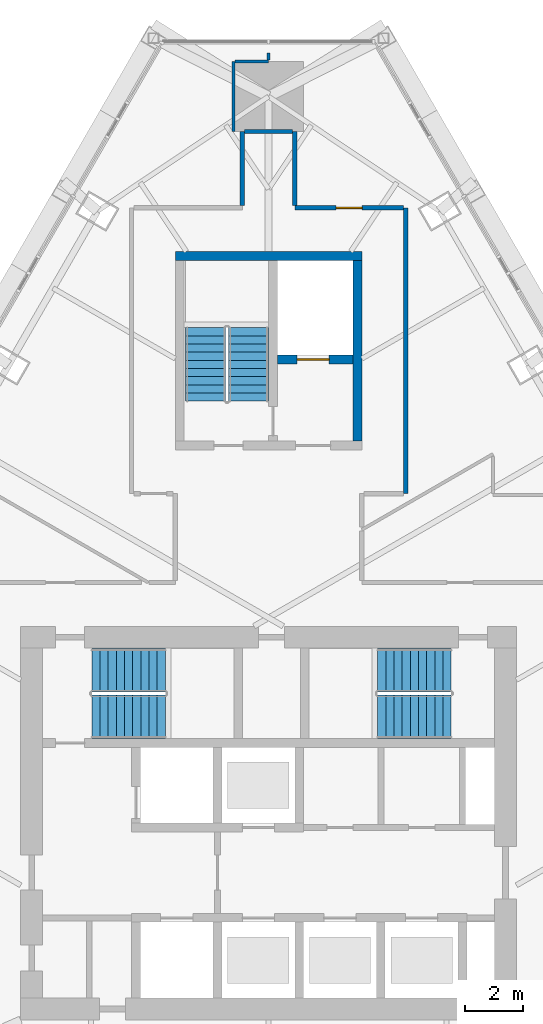
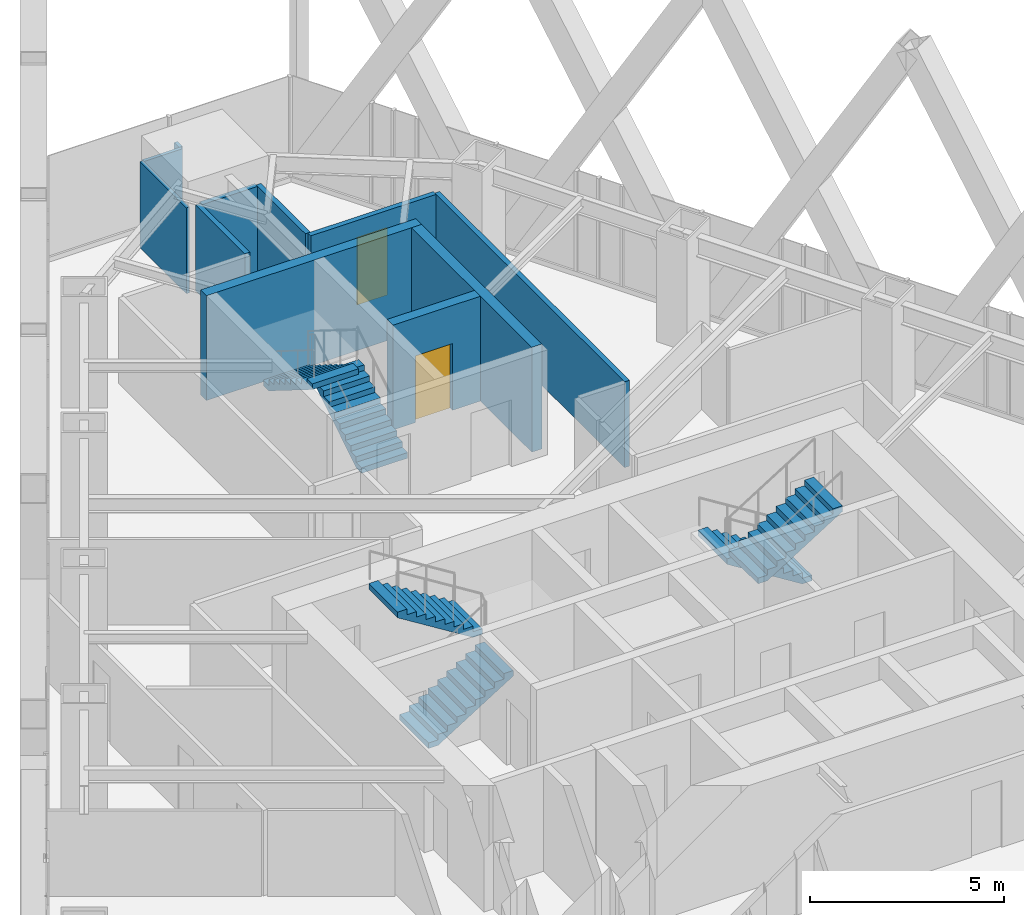
# One storey, part 21 of 23: 11 walls, 6 stair flights, 2 doors, 2 openings, 3 elements without a shape of their own.
"""IFC4 building model written with IfcOpenShell, lengths in metres."""

from ifc_helpers import new_model, si_unit, direction, frame, frame_2d, origin, place, context, subcontext, project, spatial, polyline, rectangle, outline, extrude, material, layer, layer_set, type_object, element, fill, aggregate, save


model = new_model("IFC4")

# Units and contexts
model_context = context("Model", 3, precision=1e-05, world=origin(), true_north=direction((0.0, 1.0)))
body_context = subcontext(model_context, "Body", "Model", "MODEL_VIEW")
ifc_project = project(units=[si_unit("LENGTHUNIT", "METRE"), si_unit("AREAUNIT", "SQUARE_METRE"), si_unit("VOLUMEUNIT", "CUBIC_METRE"), si_unit("PLANEANGLEUNIT", "RADIAN"), si_unit("MASSUNIT", "GRAM", prefix="KILO")], contexts=[model_context])

# Site, building, storey
site_placement = place(None, origin())
site = spatial("IfcSite", under=ifc_project, at=site_placement, CompositionType="ELEMENT")
building_placement = place(site_placement, origin())
building = spatial("IfcBuilding", under=site, at=building_placement, Name="Firuza Gate Tower and Library", CompositionType="ELEMENT")
storey_placement = place(building_placement, frame((0.0, 0.0, 302.10009765625)))
storey = spatial("IfcBuildingStorey", under=building, at=storey_placement, Name="L73", CompositionType="ELEMENT", Elevation=302.10009765625)

# Walls
ifc_material_1 = material(Name="Concrete C60/75", Category="concrete")
ifc_layer_1 = layer(ifc_material_1, 0.300048828125)
ifc_layer_set_1 = layer_set([ifc_layer_1], Name="Core wall 300 C60/75")
wall_type_1 = type_object("IfcWallType", Name="Core wall 300 C60/75", PredefinedType="SHEAR", material=ifc_layer_set_1)
wall_1_placement = place(storey_placement, frame((71.800048828125, 94.449951171875, 0.0), z_axis=(0.0, 0.0, 1.0), x_axis=(1.0, 0.0, 0.0)))
element("IfcWall", 1, at=wall_1_placement, inside=storey, type_object=wall_type_1, Name="Core wall L73 19", PredefinedType="SHEAR", context=body_context, shape_type="SweptSolid", body=[
    extrude(rectangle(XDim=6.39990234375, YDim=0.300048828125, at=frame_2d((3.199951171875, 0.0))), origin(), (0.0, 0.0, 1.0), 3.2998046875),
])
wall_2_placement = place(storey_placement, frame((78.050048828125, 88.10009765625, 0.0), z_axis=(0.0, 0.0, 1.0), x_axis=(0.0, 1.0, 0.0)))
element("IfcWall", 2, at=wall_2_placement, inside=storey, type_object=wall_type_1, Name="Core wall L73 21", PredefinedType="SHEAR", context=body_context, shape_type="SweptSolid", body=[
    extrude(rectangle(XDim=6.199951171875, YDim=0.300048828125, at=frame_2d((3.10009765625, 0.0))), origin(), (0.0, 0.0, 1.0), 3.2998046875),
])

# Wall, opening, door
wall_3_placement = place(storey_placement, frame((75.300048828125, 90.89990234375, 0.0), z_axis=(0.0, 0.0, 1.0), x_axis=(1.0, 0.0, 0.0)))
wall_3 = element("IfcWall", 3, at=wall_3_placement, inside=storey, type_object=wall_type_1, Name="Core wall L73 22", PredefinedType="SHEAR", context=body_context, shape_type="SweptSolid", body=[
    extrude(rectangle(XDim=2.599853515625, YDim=0.300048828125, at=frame_2d((1.2998046875, 0.0))), origin(), (0.0, 0.0, 1.0), 3.2998046875),
])
opening_1_placement = place(wall_3_placement, frame((0.675048828125, 0.0, 0.0)))
opening_1 = element("IfcOpeningElement", 4, at=opening_1_placement, cuts=wall_3, Name="Opening LD-SV1-L73", PredefinedType="OPENING", context=body_context, shape_type="SweptSolid", body=[
    extrude(rectangle(XDim=1.10009765625, YDim=2.10009765625, at=frame_2d((0.550048828125, 1.050048828125))), frame((0.0, 0.16015625, 0.0), z_axis=(0.0, -1.0, 0.0), x_axis=(1.0, 0.0, 0.0)), (0.0, 0.0, 1.0), 0.320068359375),
])
ifc_material_2 = material(Name="Stainless steel", Category="steel")
door_type_1 = type_object("IfcDoorType", Name="Lift landing door 1100x2100", OperationType="DOUBLE_DOOR_SLIDING", PredefinedType="DOOR", material=ifc_material_2)
door_1_placement = place(opening_1_placement, origin())
door_1 = element("IfcDoor", 5, at=door_1_placement, inside=storey, type_object=door_type_1, Name="Landing door SV1 L73", OperationType="DOUBLE_DOOR_SLIDING", OverallHeight=2.10009765625, OverallWidth=1.10009765625, PredefinedType="DOOR", context=body_context, shape_type="SweptSolid", body=[
    extrude(rectangle(XDim=1.10009765625, YDim=2.10009765625, at=frame_2d((0.550048828125, 1.050048828125))), frame((0.0, 0.02490234375, 0.0), z_axis=(0.0, -1.0, 0.0), x_axis=(1.0, 0.0, 0.0)), (0.0, 0.0, 1.0), 0.050048828125),
])
fill(opening_1, door_1)

ifc_material_3 = material(Name="Gypsum board partition")
ifc_layer_2 = layer(ifc_material_3, 0.14990234375)
ifc_layer_set_2 = layer_set([ifc_layer_2], Name="Corridor wall 150 double board on steel studs")
wall_type_2 = type_object("IfcWallType", Name="Corridor wall 150 double board on steel studs", PredefinedType="PARTITIONING", material=ifc_layer_set_2)
wall_4_placement = place(storey_placement, frame((79.62451171875, 96.10009765625, 0.0), z_axis=(0.0, 0.0, 1.0), x_axis=(-1.0, 0.0, 0.0)))
wall_4 = element("IfcWall", 6, at=wall_4_placement, inside=storey, type_object=wall_type_2, Name="f:L73:w011", PredefinedType="PARTITIONING", context=body_context, shape_type="SweptSolid", body=[
    extrude(rectangle(XDim=3.724365234375, YDim=0.14990234375, at=frame_2d((1.8623046875, 0.0))), origin(), (0.0, 0.0, 1.0), 2.699951171875),
])
opening_2_placement = place(wall_4_placement, frame((1.412109375, 0.0, 0.0)))
opening_2 = element("IfcOpeningElement", 7, at=opening_2_placement, cuts=wall_4, Name="Opening L73-11", PredefinedType="OPENING", context=body_context, shape_type="SweptSolid", body=[
    extrude(rectangle(XDim=0.89990234375, YDim=2.10009765625, at=frame_2d((0.449951171875, 1.050048828125))), frame((0.0, 0.0849609375, 0.0), z_axis=(0.0, -1.0, 0.0), x_axis=(1.0, 0.0, 0.0)), (0.0, 0.0, 1.0), 0.169921875),
])
ifc_material_4 = material(Name="Steel door and timber leaf", Category="steel")
door_type_2 = type_object("IfcDoorType", Name="Fire door 900 x 2100 steel frame, timber leaf", OperationType="NOTDEFINED", PredefinedType="DOOR", material=ifc_material_4)
door_2_placement = place(opening_2_placement, origin())
door_2 = element("IfcDoor", 8, at=door_2_placement, inside=storey, type_object=door_type_2, Name="f:L73:d011", OperationType="SINGLE_SWING_LEFT", OverallHeight=2.10009765625, OverallWidth=0.89990234375, PredefinedType="DOOR", context=body_context, shape_type="SweptSolid", body=[
    extrude(rectangle(XDim=0.89990234375, YDim=2.10009765625, at=frame_2d((0.449951171875, 1.050048828125))), frame((0.0, 0.02490234375, 0.0), z_axis=(0.0, -1.0, 0.0), x_axis=(1.0, 0.0, 0.0)), (0.0, 0.0, 1.0), 0.050048828125),
])
fill(opening_2, door_2)

# Walls
wall_5_placement = place(storey_placement, frame((74.18212890625, 98.715087890625, 0.0), z_axis=(0.0, 0.0, 1.0), x_axis=(1.0, 0.0, 0.0)))
element("IfcWall", 9, at=wall_5_placement, inside=storey, type_object=wall_type_2, Name="f:L73:w012", PredefinedType="PARTITIONING", context=body_context, shape_type="SweptSolid", body=[
    extrude(rectangle(XDim=1.642333984375, YDim=0.14990234375, at=frame_2d((0.8212890625, 0.0))), origin(), (0.0, 0.0, 1.0), 2.697021484375),
])
wall_6_placement = place(storey_placement, frame((79.699951171875, 86.300537109375, 0.0), z_axis=(0.0, 0.0, 1.0), x_axis=(0.0, 1.0, 0.0)))
element("IfcWall", 10, at=wall_6_placement, inside=storey, type_object=wall_type_2, Name="f:L73:w033", PredefinedType="PARTITIONING", context=body_context, shape_type="SweptSolid", body=[
    extrude(rectangle(XDim=9.798828125, YDim=0.14990234375, at=frame_2d((4.8994140625, 0.0))), origin(), (0.0, 0.0, 1.0), 2.699951171875),
])
wall_7_placement = place(storey_placement, frame((75.89990234375, 96.175048828125, 0.0), z_axis=(0.0, 0.0, 1.0), x_axis=(0.0, 1.0, 0.0)))
element("IfcWall", 11, at=wall_7_placement, inside=storey, type_object=wall_type_2, Name="f:L73:w035", PredefinedType="PARTITIONING", context=body_context, shape_type="SweptSolid", body=[
    extrude(rectangle(XDim=2.53955078125, YDim=0.14990234375, at=frame_2d((1.269775390625, 0.0))), origin(), (0.0, 0.0, 1.0), 2.699951171875),
])
wall_8_placement = place(storey_placement, frame((74.10009765625, 96.175048828125, 0.0), z_axis=(0.0, 0.0, 1.0), x_axis=(0.0, 1.0, 0.0)))
element("IfcWall", 12, at=wall_8_placement, inside=storey, type_object=wall_type_2, Name="f:L73:w037", PredefinedType="PARTITIONING", context=body_context, shape_type="SweptSolid", body=[
    extrude(rectangle(XDim=2.5400390625, YDim=0.14990234375, at=frame_2d((1.27001953125, 0.0))), origin(), (0.0, 0.0, 1.0), 2.699951171875),
])
ifc_material_5 = material(Name="Gypsum board partition")
ifc_layer_3 = layer(ifc_material_5, 0.10009765625)
ifc_layer_set_3 = layer_set([ifc_layer_3], Name="Partition 100 gypsum board on steel studs")
wall_type_3 = type_object("IfcWallType", Name="Partition 100 gypsum board on steel studs", PredefinedType="PARTITIONING", material=ifc_layer_set_3)
wall_9_placement = place(storey_placement, frame((73.85205078125, 101.114990234375, 0.0), z_axis=(0.0, 0.0, 1.0), x_axis=(1.0, 0.0, 0.0)))
element("IfcWall", 13, at=wall_9_placement, inside=storey, type_object=wall_type_3, Name="f:L73:w013", PredefinedType="PARTITIONING", context=body_context, shape_type="SweptSolid", body=[
    extrude(rectangle(XDim=1.14794921875, YDim=0.10009765625, at=frame_2d((0.573974609375, 0.0))), origin(), (0.0, 0.0, 1.0), 2.699951171875),
])
wall_10_placement = place(storey_placement, frame((75.0, 101.165283203125, 0.0), z_axis=(0.0, 0.0, 1.0), x_axis=(0.0, 1.0, 0.0)))
element("IfcWall", 14, at=wall_10_placement, inside=storey, type_object=wall_type_3, Name="f:L73:w036", PredefinedType="PARTITIONING", context=body_context, shape_type="SweptSolid", body=[
    extrude(rectangle(XDim=0.249755859375, YDim=0.10009765625, at=frame_2d((0.125, 0.0))), origin(), (0.0, 0.0, 1.0), 2.699951171875),
])
wall_11_placement = place(storey_placement, frame((73.800048828125, 98.71728515625, 0.0), z_axis=(0.0, 0.0, 1.0), x_axis=(0.0, 1.0, 0.0)))
element("IfcWall", 15, at=wall_11_placement, inside=storey, type_object=wall_type_3, Name="f:L73:w039", PredefinedType="PARTITIONING", context=body_context, shape_type="SweptSolid", body=[
    extrude(rectangle(XDim=2.395751953125, YDim=0.10009765625, at=frame_2d((1.19775390625, 0.0))), origin(), (0.0, 0.0, 1.0), 2.699951171875),
])

# Stair, stair flights
ifc_material_6 = material(Name="Concrete C35/45", Category="concrete")
stair_type_1 = type_object("IfcStairType", Name="Exit stair ST17", PredefinedType="HALF_TURN_STAIR", material=ifc_material_6)
placement = place(storey_placement, origin())
stair_1 = element("IfcStair", 16, at=placement, inside=storey, type_object=stair_type_1, Name="L73 Stair ST3", PredefinedType="HALF_TURN_STAIR")
ifc_material_7 = material(Name="Concrete C35/45", Category="concrete")
stair_flight_type_1 = type_object("IfcStairFlightType", Name="Stair flight 10 risers 175 width 1370", PredefinedType="STRAIGHT", material=ifc_material_7)
stair_flight_1_placement = place(storey_placement, frame((74.31494140625, 89.469970703125, 0.0), z_axis=(0.0, 0.0, 1.0), x_axis=(0.0, 1.0, 0.0)))
stair_flight_1 = element("IfcStairFlight", 17, at=stair_flight_1_placement, type_object=stair_flight_type_1, Name="ST3 flight 1", NumberOfRisers=10, NumberOfTreads=9, PredefinedType="STRAIGHT", RiserHeight=0.175, TreadLength=0.28, context=body_context, shape_type="SweptSolid", body=[
    extrude(outline(polyline([(0.0, 0.0), (0.0, 0.175048828125), (0.280029296875, 0.175048828125), (0.280029296875, 0.35009765625), (0.56005859375, 0.35009765625), (0.56005859375, 0.52490234375), (0.840087890625, 0.52490234375), (0.840087890625, 0.699951171875), (1.1201171875, 0.699951171875), (1.1201171875, 0.875), (1.39990234375, 0.875), (1.39990234375, 1.050048828125), (1.679931640625, 1.050048828125), (1.679931640625, 1.22509765625), (1.9599609375, 1.22509765625), (1.9599609375, 1.39990234375), (2.239990234375, 1.39990234375), (2.239990234375, 1.574951171875), (2.52001953125, 1.574951171875), (2.52001953125, 1.75), (2.52001953125, 1.398193359375), (0.28271484375, 0.0), (0.0, 0.0)])), frame((0.0, 0.68505859375, 0.0), z_axis=(0.0, -1.0, 0.0), x_axis=(1.0, 0.0, 0.0)), (0.0, 0.0, 1.0), 1.3701171875),
])
stair_flight_2_placement = place(storey_placement, frame((72.844970703125, 91.989990234375, 1.75), z_axis=(0.0, 0.0, 1.0), x_axis=(0.0, -1.0, 0.0)))
stair_flight_2 = element("IfcStairFlight", 18, at=stair_flight_2_placement, type_object=stair_flight_type_1, Name="ST3 flight 2", NumberOfRisers=10, NumberOfTreads=9, PredefinedType="STRAIGHT", RiserHeight=0.175, TreadLength=0.28, context=body_context, shape_type="SweptSolid", body=[
    extrude(outline(polyline([(0.0, 0.0), (0.0, 0.175048828125), (0.280029296875, 0.175048828125), (0.280029296875, 0.35009765625), (0.56005859375, 0.35009765625), (0.56005859375, 0.52490234375), (0.840087890625, 0.52490234375), (0.840087890625, 0.699951171875), (1.1201171875, 0.699951171875), (1.1201171875, 0.875), (1.39990234375, 0.875), (1.39990234375, 1.050048828125), (1.679931640625, 1.050048828125), (1.679931640625, 1.22509765625), (1.9599609375, 1.22509765625), (1.9599609375, 1.39990234375), (2.239990234375, 1.39990234375), (2.239990234375, 1.574951171875), (2.52001953125, 1.574951171875), (2.52001953125, 1.75), (2.52001953125, 1.398193359375), (0.28271484375, 0.0), (0.0, 0.0)])), frame((0.0, 0.68505859375, 0.0), z_axis=(0.0, -1.0, 0.0), x_axis=(1.0, 0.0, 0.0)), (0.0, 0.0, 1.0), 1.3701171875),
])
aggregate(stair_1, [stair_flight_1, stair_flight_2])

ifc_material_8 = material(Name="Concrete C35/45", Category="concrete")
stair_type_2 = type_object("IfcStairType", Name="Exit stair ST8", PredefinedType="HALF_TURN_STAIR", material=ifc_material_8)
stair_2 = element("IfcStair", 19, at=placement, inside=storey, type_object=stair_type_2, Name="L73 Stair ST1", PredefinedType="HALF_TURN_STAIR")
ifc_material_9 = material(Name="Concrete C35/45", Category="concrete")
stair_flight_type_2 = type_object("IfcStairFlightType", Name="Stair flight 10 risers 175 width 1490", PredefinedType="STRAIGHT", material=ifc_material_9)
stair_flight_3_placement = place(storey_placement, frame((68.93994140625, 78.64501953125, 0.0), z_axis=(0.0, 0.0, 1.0), x_axis=(1.0, 0.0, 0.0)))
stair_flight_3 = element("IfcStairFlight", 20, at=stair_flight_3_placement, type_object=stair_flight_type_2, Name="ST1 flight 1", NumberOfRisers=10, NumberOfTreads=9, PredefinedType="STRAIGHT", RiserHeight=0.175, TreadLength=0.28, context=body_context, shape_type="SweptSolid", body=[
    extrude(outline(polyline([(0.0, 0.0), (0.0, 0.175048828125), (0.280029296875, 0.175048828125), (0.280029296875, 0.35009765625), (0.56005859375, 0.35009765625), (0.56005859375, 0.52490234375), (0.840087890625, 0.52490234375), (0.840087890625, 0.699951171875), (1.1201171875, 0.699951171875), (1.1201171875, 0.875), (1.39990234375, 0.875), (1.39990234375, 1.050048828125), (1.679931640625, 1.050048828125), (1.679931640625, 1.22509765625), (1.9599609375, 1.22509765625), (1.9599609375, 1.39990234375), (2.239990234375, 1.39990234375), (2.239990234375, 1.574951171875), (2.52001953125, 1.574951171875), (2.52001953125, 1.75), (2.52001953125, 1.398193359375), (0.28271484375, 0.0), (0.0, 0.0)])), frame((0.0, 0.7451171875, 0.0), z_axis=(0.0, -1.0, 0.0), x_axis=(1.0, 0.0, 0.0)), (0.0, 0.0, 1.0), 1.489990234375),
])
stair_flight_4_placement = place(storey_placement, frame((71.4599609375, 80.235107421875, 1.75), z_axis=(0.0, 0.0, 1.0), x_axis=(-1.0, 0.0, 0.0)))
stair_flight_4 = element("IfcStairFlight", 21, at=stair_flight_4_placement, type_object=stair_flight_type_2, Name="ST1 flight 2", NumberOfRisers=10, NumberOfTreads=9, PredefinedType="STRAIGHT", RiserHeight=0.175, TreadLength=0.28, context=body_context, shape_type="SweptSolid", body=[
    extrude(outline(polyline([(0.0, 0.0), (0.0, 0.175048828125), (0.280029296875, 0.175048828125), (0.280029296875, 0.35009765625), (0.56005859375, 0.35009765625), (0.56005859375, 0.52490234375), (0.840087890625, 0.52490234375), (0.840087890625, 0.699951171875), (1.1201171875, 0.699951171875), (1.1201171875, 0.875), (1.39990234375, 0.875), (1.39990234375, 1.050048828125), (1.679931640625, 1.050048828125), (1.679931640625, 1.22509765625), (1.9599609375, 1.22509765625), (1.9599609375, 1.39990234375), (2.239990234375, 1.39990234375), (2.239990234375, 1.574951171875), (2.52001953125, 1.574951171875), (2.52001953125, 1.75), (2.52001953125, 1.398193359375), (0.28271484375, 0.0), (0.0, 0.0)])), frame((0.0, 0.7451171875, 0.0), z_axis=(0.0, -1.0, 0.0), x_axis=(1.0, 0.0, 0.0)), (0.0, 0.0, 1.0), 1.489990234375),
])
aggregate(stair_2, [stair_flight_3, stair_flight_4])

stair_3 = element("IfcStair", 22, at=placement, inside=storey, type_object=stair_type_2, Name="L73 Stair ST2", PredefinedType="HALF_TURN_STAIR")
stair_flight_5_placement = place(storey_placement, frame((81.260009765625, 80.235107421875, 0.0), z_axis=(0.0, 0.0, 1.0), x_axis=(-1.0, 0.0, 0.0)))
stair_flight_5 = element("IfcStairFlight", 23, at=stair_flight_5_placement, type_object=stair_flight_type_2, Name="ST2 flight 1", NumberOfRisers=10, NumberOfTreads=9, PredefinedType="STRAIGHT", RiserHeight=0.175, TreadLength=0.28, context=body_context, shape_type="SweptSolid", body=[
    extrude(outline(polyline([(0.0, 0.0), (0.0, 0.175048828125), (0.280029296875, 0.175048828125), (0.280029296875, 0.35009765625), (0.56005859375, 0.35009765625), (0.56005859375, 0.52490234375), (0.840087890625, 0.52490234375), (0.840087890625, 0.699951171875), (1.1201171875, 0.699951171875), (1.1201171875, 0.875), (1.39990234375, 0.875), (1.39990234375, 1.050048828125), (1.679931640625, 1.050048828125), (1.679931640625, 1.22509765625), (1.9599609375, 1.22509765625), (1.9599609375, 1.39990234375), (2.239990234375, 1.39990234375), (2.239990234375, 1.574951171875), (2.52001953125, 1.574951171875), (2.52001953125, 1.75), (2.52001953125, 1.398193359375), (0.28271484375, 0.0), (0.0, 0.0)])), frame((0.0, 0.7451171875, 0.0), z_axis=(0.0, -1.0, 0.0), x_axis=(1.0, 0.0, 0.0)), (0.0, 0.0, 1.0), 1.489990234375),
])
stair_flight_6_placement = place(storey_placement, frame((78.739990234375, 78.64501953125, 1.75), z_axis=(0.0, 0.0, 1.0), x_axis=(1.0, 0.0, 0.0)))
stair_flight_6 = element("IfcStairFlight", 24, at=stair_flight_6_placement, type_object=stair_flight_type_2, Name="ST2 flight 2", NumberOfRisers=10, NumberOfTreads=9, PredefinedType="STRAIGHT", RiserHeight=0.175, TreadLength=0.28, context=body_context, shape_type="SweptSolid", body=[
    extrude(outline(polyline([(0.0, 0.0), (0.0, 0.175048828125), (0.280029296875, 0.175048828125), (0.280029296875, 0.35009765625), (0.56005859375, 0.35009765625), (0.56005859375, 0.52490234375), (0.840087890625, 0.52490234375), (0.840087890625, 0.699951171875), (1.1201171875, 0.699951171875), (1.1201171875, 0.875), (1.39990234375, 0.875), (1.39990234375, 1.050048828125), (1.679931640625, 1.050048828125), (1.679931640625, 1.22509765625), (1.9599609375, 1.22509765625), (1.9599609375, 1.39990234375), (2.239990234375, 1.39990234375), (2.239990234375, 1.574951171875), (2.52001953125, 1.574951171875), (2.52001953125, 1.75), (2.52001953125, 1.398193359375), (0.28271484375, 0.0), (0.0, 0.0)])), frame((0.0, 0.7451171875, 0.0), z_axis=(0.0, -1.0, 0.0), x_axis=(1.0, 0.0, 0.0)), (0.0, 0.0, 1.0), 1.489990234375),
])
aggregate(stair_3, [stair_flight_5, stair_flight_6])

save(model, "model.ifc")
